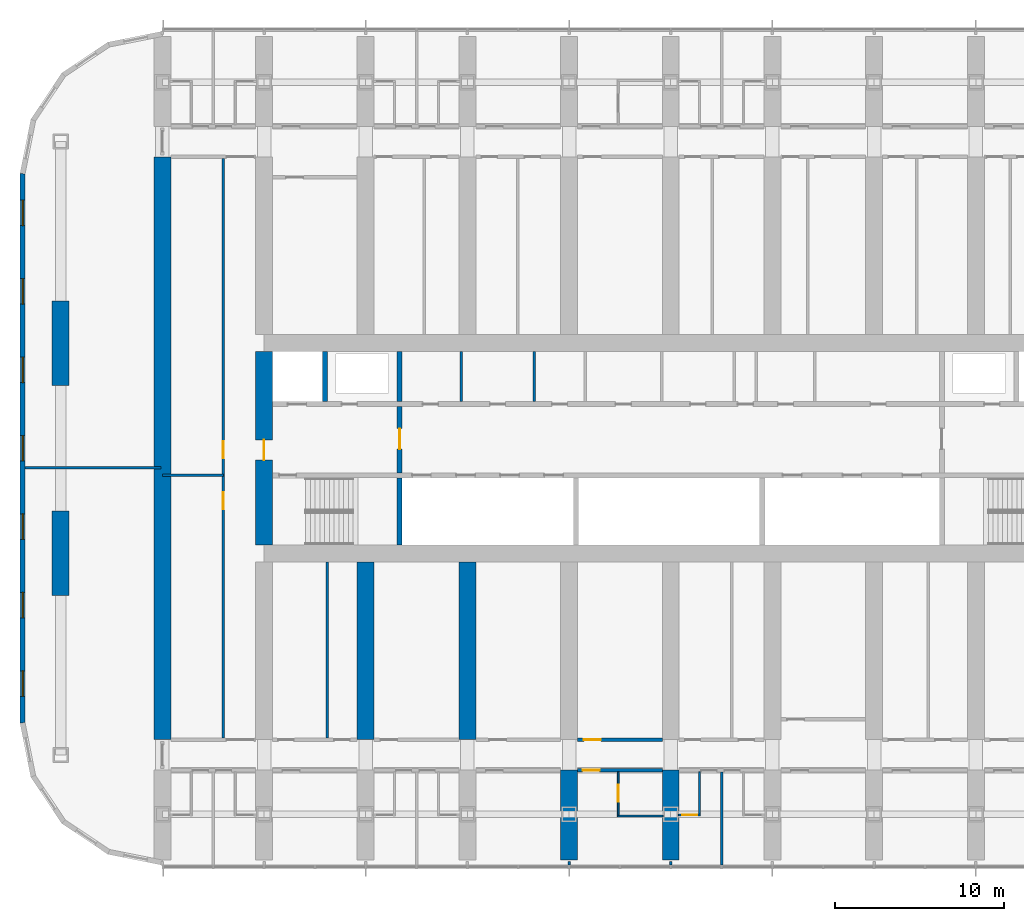
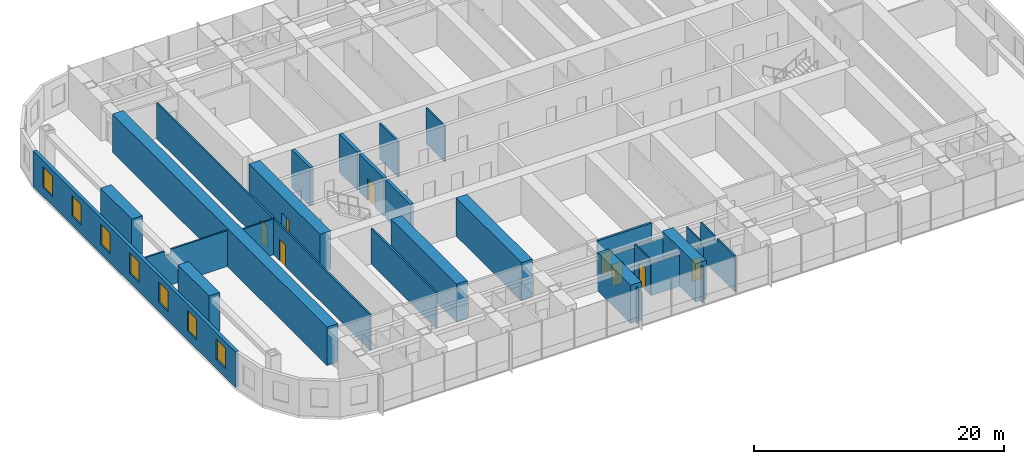
# One storey, part 11 of 23: 28 walls, 8 doors, 7 windows, 15 openings.
"""IFC4 building model written with IfcOpenShell, lengths in metres."""

from ifc_helpers import new_model, si_unit, direction, frame, frame_2d, origin, place, context, subcontext, project, spatial, polyline, rectangle, outline, extrude, material, layer, layer_set, type_object, element, fill, save


model = new_model("IFC4")

# Units and contexts
model_context = context("Model", 3, precision=1e-05, world=origin(), true_north=direction((0.0, 1.0)))
body_context = subcontext(model_context, "Body", "Model", "MODEL_VIEW")
ifc_project = project(units=[si_unit("LENGTHUNIT", "METRE"), si_unit("AREAUNIT", "SQUARE_METRE"), si_unit("VOLUMEUNIT", "CUBIC_METRE"), si_unit("PLANEANGLEUNIT", "RADIAN"), si_unit("MASSUNIT", "GRAM", prefix="KILO")], contexts=[model_context])

# Site, building, storey
site_placement = place(None, origin())
site = spatial("IfcSite", under=ifc_project, at=site_placement, CompositionType="ELEMENT")
building_placement = place(site_placement, origin())
building = spatial("IfcBuilding", under=site, at=building_placement, Name="Orbita Commons", CompositionType="ELEMENT")
storey_placement = place(building_placement, frame((0.0, 0.0, 61.449951171875)))
storey = spatial("IfcBuildingStorey", under=building, at=storey_placement, Name="L15", CompositionType="ELEMENT", Elevation=61.449951171875)

# Wall
ifc_material_1 = material(Name="Concrete C50/60", Category="concrete")
ifc_layer_1 = layer(ifc_material_1, 0.300048828125)
ifc_layer_set_1 = layer_set([ifc_layer_1], Name="Concrete C50/60")
wall_type_1 = type_object("IfcWallType", Name="Core inner wall 300 C50/60", PredefinedType="SHEAR", material=ifc_layer_set_1)
wall_1_placement = place(storey_placement, frame((26.0, 26.300048828125, 0.0), z_axis=(0.0, 0.0, 1.0), x_axis=(0.0, 1.0, 0.0)))
element("IfcWall", 1, at=wall_1_placement, inside=storey, type_object=wall_type_1, Name="Stair S1 wall L15", PredefinedType="SHEAR", context=body_context, shape_type="SweptSolid", body=[
    extrude(rectangle(XDim=3.949951171875, YDim=0.300048828125, at=frame_2d((1.97509765625, 0.0))), origin(), (0.0, 0.0, 1.0), 3.75),
])

# Wall, opening, door
wall_2_placement = place(storey_placement, frame((26.0, 30.550048828125, 0.0), z_axis=(0.0, 0.0, 1.0), x_axis=(0.0, 1.0, 0.0)))
wall_2 = element("IfcWall", 2, at=wall_2_placement, inside=storey, type_object=wall_type_1, Name="Firefighting lobby wall west L15", PredefinedType="SHEAR", context=body_context, shape_type="SweptSolid", body=[
    extrude(rectangle(XDim=3.89990234375, YDim=0.300048828125, at=frame_2d((1.949951171875, 0.0))), origin(), (0.0, 0.0, 1.0), 3.75),
])
opening_1_placement = place(wall_2_placement, frame((1.39990234375, 0.0, 0.0)))
opening_1 = element("IfcOpeningElement", 3, at=opening_1_placement, cuts=wall_2, Name="Opening D04", PredefinedType="OPENING", context=body_context, shape_type="SweptSolid", body=[
    extrude(rectangle(XDim=1.199951171875, YDim=2.10009765625, at=frame_2d((0.60009765625, 1.050048828125))), frame((0.0, 0.159912109375, 0.0), z_axis=(0.0, -1.0, 0.0), x_axis=(1.0, 0.0, 0.0)), (0.0, 0.0, 1.0), 0.320068359375),
])
ifc_material_2 = material(Name="Steel-faced fire door leaf", Category="steel")
door_type_1 = type_object("IfcDoorType", Name="Service door 20 min 1200x2100", OperationType="SINGLE_SWING_LEFT", PredefinedType="DOOR", material=ifc_material_2)
door_1_placement = place(opening_1_placement, origin())
door_1 = element("IfcDoor", 4, at=door_1_placement, inside=storey, type_object=door_type_1, Name="Lift lobby door west", OperationType="SINGLE_SWING_LEFT", OverallHeight=2.10009765625, OverallWidth=1.199951171875, PredefinedType="DOOR", context=body_context, shape_type="SweptSolid", body=[
    extrude(rectangle(XDim=1.199951171875, YDim=2.10009765625, at=frame_2d((0.60009765625, 1.050048828125))), frame((0.0, 0.02490234375, 0.0), z_axis=(0.0, -1.0, 0.0), x_axis=(1.0, 0.0, 0.0)), (0.0, 0.0, 1.0), 0.050048828125),
])
fill(opening_1, door_1)

# Walls
for number, where, z_axis, x_axis, name in (
    (5, (21.60009765625, 34.75, 0.0), (0.0, 0.0, 1.0), (0.0, 1.0, 0.0), "Firefighting lift FL1 shaft wall L15"),
    (6, (26.0, 34.75, 0.0), (0.0, 0.0, 1.0), (0.0, 1.0, 0.0), "Riser wall west L15"),
):
    element("IfcWall", number, at=place(storey_placement, frame(where, z_axis=z_axis, x_axis=x_axis)), inside=storey, type_object=wall_type_1, Name=name, PredefinedType="SHEAR", context=body_context, shape_type="SweptSolid", body=[
        extrude(rectangle(XDim=2.949951171875, YDim=0.300048828125, at=frame_2d((1.47509765625, 0.0))), origin(), (0.0, 0.0, 1.0), 3.75),
    ])
ifc_material_3 = material(Name="Concrete blockwork", Category="masonry")
ifc_layer_2 = layer(ifc_material_3, 0.14990234375)
ifc_layer_set_2 = layer_set([ifc_layer_2], Name="Concrete blockwork")
wall_type_2 = type_object("IfcWallType", Name="Core partition 150 blockwork", PredefinedType="SOLIDWALL", material=ifc_layer_set_2)
for number, where, z_axis, x_axis, name in (
    (7, (29.65087890625, 34.75, 0.0), (0.0, 0.0, 1.0), (0.0, 1.0, 0.0), "Core partition 150 blockwork L15"),
    (8, (33.9462890625, 34.75, 0.0), (0.0, 0.0, 1.0), (0.0, 1.0, 0.0), "Core partition 150 blockwork L15"),
):
    element("IfcWall", number, at=place(storey_placement, frame(where, z_axis=z_axis, x_axis=x_axis)), inside=storey, type_object=wall_type_2, Name=name, PredefinedType="SOLIDWALL", context=body_context, shape_type="SweptSolid", body=[
        extrude(rectangle(XDim=2.949951171875, YDim=0.14990234375, at=frame_2d((1.47509765625, 0.0))), origin(), (0.0, 0.0, 1.0), 3.5),
    ])

# Wall, opening, door
ifc_material_4 = material(Name="Concrete C50/60", Category="concrete")
ifc_layer_3 = layer(ifc_material_4, 1.0)
ifc_layer_set_3 = layer_set([ifc_layer_3], Name="Concrete C50/60")
wall_type_3 = type_object("IfcWallType", Name="Core wall 1000 C50/60", PredefinedType="SHEAR", material=ifc_layer_set_3)
wall_3_placement = place(storey_placement, frame((18.0, 26.300048828125, 0.0), z_axis=(0.0, 0.0, 1.0), x_axis=(0.0, 1.0, 0.0)))
wall_3 = element("IfcWall", 9, at=wall_3_placement, inside=storey, type_object=wall_type_3, Name="Core end wall west L15", PredefinedType="SHEAR", context=body_context, shape_type="SweptSolid", body=[
    extrude(rectangle(XDim=11.39990234375, YDim=1.0, at=frame_2d((5.699951171875, 0.0))), origin(), (0.0, 0.0, 1.0), 3.75),
])
opening_2_placement = place(wall_3_placement, frame((5.0, 0.0, 0.0)))
opening_2 = element("IfcOpeningElement", 10, at=opening_2_placement, cuts=wall_3, Name="Opening D01", PredefinedType="OPENING", context=body_context, shape_type="SweptSolid", body=[
    extrude(rectangle(XDim=1.199951171875, YDim=2.10009765625, at=frame_2d((0.60009765625, 1.050048828125))), frame((0.0, 0.510009765625, 0.0), z_axis=(0.0, -1.0, 0.0), x_axis=(1.0, 0.0, 0.0)), (0.0, 0.0, 1.0), 1.02001953125),
])
ifc_material_5 = material(Name="Steel-faced fire door leaf", Category="steel")
door_type_2 = type_object("IfcDoorType", Name="Fire door 90 min 1200x2100", OperationType="SINGLE_SWING_LEFT", PredefinedType="DOOR", material=ifc_material_5)
door_2_placement = place(opening_2_placement, origin())
door_2 = element("IfcDoor", 11, at=door_2_placement, inside=storey, type_object=door_type_2, Name="Firefighting lobby west door", OperationType="SINGLE_SWING_LEFT", OverallHeight=2.10009765625, OverallWidth=1.199951171875, PredefinedType="DOOR", context=body_context, shape_type="SweptSolid", body=[
    extrude(rectangle(XDim=1.199951171875, YDim=2.10009765625, at=frame_2d((0.60009765625, 1.050048828125))), frame((0.0, 0.02490234375, 0.0), z_axis=(0.0, -1.0, 0.0), x_axis=(1.0, 0.0, 0.0)), (0.0, 0.0, 1.0), 0.050048828125),
])
fill(opening_2, door_2)

ifc_material_6 = material(Name="Concrete blockwork", Category="masonry")
ifc_layer_4 = layer(ifc_material_6, 0.199951171875)
ifc_layer_set_4 = layer_set([ifc_layer_4], Name="Concrete blockwork")
wall_type_4 = type_object("IfcWallType", Name="Corridor wall 200 blockwork", PredefinedType="SOLIDWALL", material=ifc_layer_set_4)
wall_4_placement = place(storey_placement, frame((36.5, 13.0, 0.0), z_axis=(0.0, 0.0, 1.0), x_axis=(1.0, 0.0, 0.0)))
wall_4 = element("IfcWall", 12, at=wall_4_placement, inside=storey, type_object=wall_type_4, Name="Corridor wall 200 blockwork L15", PredefinedType="SOLIDWALL", context=body_context, shape_type="SweptSolid", body=[
    extrude(outline(polyline([(0.0, 0.0), (5.0, 0.0), (5.0, 3.10009765625), (0.0, 3.10009765625), (0.0, 0.0)])), frame((0.0, 0.10009765625, 0.0), z_axis=(0.0, -1.0, 0.0), x_axis=(1.0, 0.0, 0.0)), (0.0, 0.0, 1.0), 0.199951171875),
])
opening_3_placement = place(wall_4_placement, frame((0.300048828125, 0.0, 0.0)))
opening_3 = element("IfcOpeningElement", 13, at=opening_3_placement, cuts=wall_4, Name="Opening D06", PredefinedType="OPENING", context=body_context, shape_type="SweptSolid", body=[
    extrude(rectangle(XDim=1.0, YDim=2.10009765625, at=frame_2d((0.5, 1.050048828125))), frame((0.0, 0.10986328125, 0.0), z_axis=(0.0, -1.0, 0.0), x_axis=(1.0, 0.0, 0.0)), (0.0, 0.0, 1.0), 0.219970703125),
])
ifc_material_7 = material(Name="Steel-faced fire door leaf", Category="steel")
door_type_3 = type_object("IfcDoorType", Name="Corridor door 20 min 1000x2100", OperationType="SINGLE_SWING_LEFT", PredefinedType="DOOR", material=ifc_material_7)
door_3_placement = place(opening_3_placement, origin())
door_3 = element("IfcDoor", 14, at=door_3_placement, inside=storey, type_object=door_type_3, Name="Accessible bedroom L15-S08 door", OperationType="SINGLE_SWING_LEFT", OverallHeight=2.10009765625, OverallWidth=1.0, PredefinedType="DOOR", context=body_context, shape_type="SweptSolid", body=[
    extrude(rectangle(XDim=1.0, YDim=2.10009765625, at=frame_2d((0.5, 1.050048828125))), frame((0.0, 0.02490234375, 0.0), z_axis=(0.0, -1.0, 0.0), x_axis=(1.0, 0.0, 0.0)), (0.0, 0.0, 1.0), 0.050048828125),
])
fill(opening_3, door_3)

ifc_material_8 = material(Name="Hollow concrete block 200", Category="concrete")
ifc_layer_5 = layer(ifc_material_8, 0.199951171875)
ifc_layer_set_5 = layer_set([ifc_layer_5], Name="Hollow concrete block 200")
wall_type_5 = type_object("IfcWallType", Name="Corridor wall 200 hollow concrete block", PredefinedType="SOLIDWALL", material=ifc_layer_set_5)
wall_5_placement = place(storey_placement, frame((36.5, 14.800048828125, 0.0), z_axis=(0.0, 0.0, 1.0), x_axis=(1.0, 0.0, 0.0)))
wall_5 = element("IfcWall", 15, at=wall_5_placement, inside=storey, type_object=wall_type_5, Name="Corridor wall 200 hollow concrete block L15", PredefinedType="SOLIDWALL", context=body_context, shape_type="SweptSolid", body=[
    extrude(rectangle(XDim=5.0, YDim=0.199951171875, at=frame_2d((2.5, 0.0))), origin(), (0.0, 0.0, 1.0), 3.5),
])
opening_4_placement = place(wall_5_placement, frame((0.375, 0.0, 0.0)))
opening_4 = element("IfcOpeningElement", 16, at=opening_4_placement, cuts=wall_5, Name="Opening D06", PredefinedType="OPENING", context=body_context, shape_type="SweptSolid", body=[
    extrude(rectangle(XDim=1.0, YDim=2.10009765625, at=frame_2d((0.5, 1.050048828125))), frame((0.0, 0.10986328125, 0.0), z_axis=(0.0, -1.0, 0.0), x_axis=(1.0, 0.0, 0.0)), (0.0, 0.0, 1.0), 0.219970703125),
])
door_4_placement = place(opening_4_placement, origin())
door_4 = element("IfcDoor", 17, at=door_4_placement, inside=storey, type_object=door_type_3, Name="Parcel and post room L15-BDS36 door", OperationType="SINGLE_SWING_LEFT", OverallHeight=2.10009765625, OverallWidth=1.0, PredefinedType="DOOR", context=body_context, shape_type="SweptSolid", body=[
    extrude(rectangle(XDim=1.0, YDim=2.10009765625, at=frame_2d((0.5, 1.050048828125))), frame((0.0, 0.02490234375, 0.0), z_axis=(0.0, -1.0, 0.0), x_axis=(1.0, 0.0, 0.0)), (0.0, 0.0, 1.0), 0.050048828125),
])
fill(opening_4, door_4)

# Walls
ifc_material_9 = material(Name="Concrete C50/60", Category="concrete")
ifc_layer_6 = layer(ifc_material_9, 1.0)
ifc_layer_set_6 = layer_set([ifc_layer_6], Name="Concrete C50/60")
wall_type_6 = type_object("IfcWallType", Name="Cross wall 1000 C50/60", PredefinedType="SHEAR", material=ifc_layer_set_6)
wall_6_placement = place(storey_placement, frame((12.0, 14.800048828125, 0.0), z_axis=(0.0, 0.0, 1.0), x_axis=(0.0, 1.0, 0.0)))
element("IfcWall", 18, at=wall_6_placement, inside=storey, type_object=wall_type_6, Name="Cross wall 3 inner L15", PredefinedType="SHEAR", context=body_context, shape_type="SweptSolid", body=[
    extrude(rectangle(XDim=34.39990234375, YDim=1.0, at=frame_2d((17.199951171875, 0.0))), origin(), (0.0, 0.0, 1.0), 3.75),
])
for number, where, z_axis, x_axis, name in (
    (19, (24.0, 14.800048828125, 0.0), (0.0, 0.0, 1.0), (0.0, 1.0, 0.0), "Cross wall 5 south inner L15"),
    (20, (30.0, 14.800048828125, 0.0), (0.0, 0.0, 1.0), (0.0, 1.0, 0.0), "Cross wall 6 south inner L15"),
):
    element("IfcWall", number, at=place(storey_placement, frame(where, z_axis=z_axis, x_axis=x_axis)), inside=storey, type_object=wall_type_6, Name=name, PredefinedType="SHEAR", context=body_context, shape_type="SweptSolid", body=[
        extrude(rectangle(XDim=10.5, YDim=1.0, at=frame_2d((5.25, 0.0))), origin(), (0.0, 0.0, 1.0), 3.75),
    ])
for number, where, z_axis, x_axis, name in (
    (21, (36.0, 7.699951171875, 0.0), (0.0, 0.0, 1.0), (0.0, 1.0, 0.0), "Cross wall 7 south outer L15"),
    (22, (42.0, 7.699951171875, 0.0), (0.0, 0.0, 1.0), (0.0, 1.0, 0.0), "Cross wall 8 south outer L15"),
):
    element("IfcWall", number, at=place(storey_placement, frame(where, z_axis=z_axis, x_axis=x_axis)), inside=storey, type_object=wall_type_6, Name=name, PredefinedType="SHEAR", context=body_context, shape_type="SweptSolid", body=[
        extrude(rectangle(XDim=5.300048828125, YDim=1.0, at=frame_2d((2.64990234375, 0.0))), origin(), (0.0, 0.0, 1.0), 3.75),
    ])
ifc_material_10 = material(Name="Moisture-resistant plasterboard on steel studs", Category="steel")
ifc_layer_7 = layer(ifc_material_10, 0.10009765625)
ifc_layer_set_7 = layer_set([ifc_layer_7], Name="Moisture-resistant plasterboard on steel studs")
wall_type_7 = type_object("IfcWallType", Name="En-suite partition 100", PredefinedType="PARTITIONING", material=ifc_layer_set_7)
wall_7_placement = place(storey_placement, frame((38.85009765625, 10.300048828125, 0.0), z_axis=(0.0, 0.0, 1.0), x_axis=(1.0, 0.0, 0.0)))
element("IfcWall", 23, at=wall_7_placement, inside=storey, type_object=wall_type_7, Name="En-suite partition 100 L15", PredefinedType="PARTITIONING", context=body_context, shape_type="SweptSolid", body=[
    extrude(outline(polyline([(0.0, 0.0), (2.699951171875, 0.0), (2.699951171875, 3.10009765625), (0.0, 3.10009765625), (0.0, 0.0)])), frame((0.0, 0.050048828125, 0.0), z_axis=(0.0, -1.0, 0.0), x_axis=(1.0, 0.0, 0.0)), (0.0, 0.0, 1.0), 0.10009765625),
])

# Wall, opening, door
wall_8_placement = place(storey_placement, frame((38.89990234375, 10.35009765625, 0.0), z_axis=(0.0, 0.0, 1.0), x_axis=(0.0, 1.0, 0.0)))
wall_8 = element("IfcWall", 24, at=wall_8_placement, inside=storey, type_object=wall_type_7, Name="En-suite partition 100 L15", PredefinedType="PARTITIONING", context=body_context, shape_type="SweptSolid", body=[
    extrude(outline(polyline([(0.0, 0.0), (2.5498046875, 0.0), (2.550048828125, 3.10009765625), (2.501953125, 3.10009765625), (2.5, 3.5), (0.251953125, 3.5), (0.25, 3.10009765625), (0.0, 3.10009765625), (0.0, 0.0)])), frame((0.0, 0.050048828125, 0.0), z_axis=(0.0, -1.0, 0.0), x_axis=(1.0, 0.0, 0.0)), (0.0, 0.0, 1.0), 0.10009765625),
])
opening_5_placement = place(wall_8_placement, frame((0.800048828125, 0.0, 0.0)))
opening_5 = element("IfcOpeningElement", 25, at=opening_5_placement, cuts=wall_8, Name="Opening D13", PredefinedType="OPENING", context=body_context, shape_type="SweptSolid", body=[
    extrude(rectangle(XDim=1.0, YDim=2.10009765625, at=frame_2d((0.5, 1.050048828125))), frame((0.0, 0.06005859375, 0.0), z_axis=(0.0, -1.0, 0.0), x_axis=(1.0, 0.0, 0.0)), (0.0, 0.0, 1.0), 0.1201171875),
])
ifc_material_11 = material(Name="Laminated timber door leaf", Category="wood")
door_type_4 = type_object("IfcDoorType", Name="En-suite door 1000x2100", OperationType="SINGLE_SWING_RIGHT", PredefinedType="DOOR", material=ifc_material_11)
door_5_placement = place(opening_5_placement, origin())
door_5 = element("IfcDoor", 26, at=door_5_placement, inside=storey, type_object=door_type_4, Name="Accessible shower room L15-S08 door", OperationType="SINGLE_SWING_RIGHT", OverallHeight=2.10009765625, OverallWidth=1.0, PredefinedType="DOOR", context=body_context, shape_type="SweptSolid", body=[
    extrude(rectangle(XDim=1.0, YDim=2.10009765625, at=frame_2d((0.5, 1.050048828125))), frame((0.0, 0.02490234375, 0.0), z_axis=(0.0, -1.0, 0.0), x_axis=(1.0, 0.0, 0.0)), (0.0, 0.0, 1.0), 0.050048828125),
])
fill(opening_5, door_5)

wall_9_placement = place(storey_placement, frame((43.75, 10.3583984375, 0.0), z_axis=(0.0, 0.0, 1.0), x_axis=(-1.0, 0.0, 0.0)))
wall_9 = element("IfcWall", 27, at=wall_9_placement, inside=storey, type_object=wall_type_7, Name="En-suite partition 100 L15", PredefinedType="PARTITIONING", context=body_context, shape_type="SweptSolid", body=[
    extrude(outline(polyline([(0.0, 0.0), (1.300048828125, 0.0), (1.300048828125, 3.10009765625), (0.0, 3.10009765625), (0.0, 0.0)])), frame((0.0, 0.050048828125, 0.0), z_axis=(0.0, -1.0, 0.0), x_axis=(1.0, 0.0, 0.0)), (0.0, 0.0, 1.0), 0.10009765625),
])
opening_6_placement = place(wall_9_placement, frame((0.175048828125, 0.0, 0.0)))
opening_6 = element("IfcOpeningElement", 28, at=opening_6_placement, cuts=wall_9, Name="Opening D09", PredefinedType="OPENING", context=body_context, shape_type="SweptSolid", body=[
    extrude(rectangle(XDim=0.89990234375, YDim=2.10009765625, at=frame_2d((0.449951171875, 1.050048828125))), frame((0.0, 0.06005859375, 0.0), z_axis=(0.0, -1.0, 0.0), x_axis=(1.0, 0.0, 0.0)), (0.0, 0.0, 1.0), 0.1201171875),
])
ifc_material_12 = material(Name="Laminated timber door leaf", Category="wood")
door_type_5 = type_object("IfcDoorType", Name="En-suite door 900x2100", OperationType="SINGLE_SWING_RIGHT", PredefinedType="DOOR", material=ifc_material_12)
door_6_placement = place(opening_6_placement, origin())
door_6 = element("IfcDoor", 29, at=door_6_placement, inside=storey, type_object=door_type_5, Name="En-suite L15-S10 door", OperationType="SINGLE_SWING_RIGHT", OverallHeight=2.10009765625, OverallWidth=0.89990234375, PredefinedType="DOOR", context=body_context, shape_type="SweptSolid", body=[
    extrude(rectangle(XDim=0.89990234375, YDim=2.10009765625, at=frame_2d((0.449951171875, 1.050048828125))), frame((0.0, 0.02490234375, 0.0), z_axis=(0.0, -1.0, 0.0), x_axis=(1.0, 0.0, 0.0)), (0.0, 0.0, 1.0), 0.050048828125),
])
fill(opening_6, door_6)

# Walls
wall_10_placement = place(storey_placement, frame((43.699951171875, 10.408203125, 0.0), z_axis=(0.0, 0.0, 1.0), x_axis=(0.0, 1.0, 0.0)))
element("IfcWall", 30, at=wall_10_placement, inside=storey, type_object=wall_type_7, Name="En-suite partition 100 L15", PredefinedType="PARTITIONING", context=body_context, shape_type="SweptSolid", body=[
    extrude(outline(polyline([(0.0, 0.0), (2.49169921875, 0.0), (2.49169921875, 3.10009765625), (2.443603515625, 3.10009765625), (2.441650390625, 3.5), (0.193603515625, 3.5), (0.191650390625, 3.10009765625), (0.0, 3.10009765625), (0.0, 0.0)])), frame((0.0, 0.050048828125, 0.0), z_axis=(0.0, -1.0, 0.0), x_axis=(1.0, 0.0, 0.0)), (0.0, 0.0, 1.0), 0.10009765625),
])
ifc_material_13 = material(Name="Concrete C50/60", Category="concrete")
ifc_layer_8 = layer(ifc_material_13, 1.0)
ifc_layer_set_8 = layer_set([ifc_layer_8], Name="Concrete C50/60")
wall_type_8 = type_object("IfcWallType", Name="End pier 1000x5000 C50/60", PredefinedType="SHEAR", material=ifc_layer_set_8)
for number, where, z_axis, x_axis, name in (
    (31, (6.0, 23.300048828125, 0.0), (0.0, 0.0, 1.0), (0.0, 1.0, 0.0), "End pier 2/C L15"),
    (32, (6.0, 35.699951171875, 0.0), (0.0, 0.0, 1.0), (0.0, 1.0, 0.0), "End pier 2/D L15"),
):
    element("IfcWall", number, at=place(storey_placement, frame(where, z_axis=z_axis, x_axis=x_axis)), inside=storey, type_object=wall_type_8, Name=name, PredefinedType="SHEAR", context=body_context, shape_type="SweptSolid", body=[
        extrude(rectangle(XDim=5.0, YDim=1.0, at=frame_2d((2.5, 0.0))), origin(), (0.0, 0.0, 1.0), 3.75),
    ])
ifc_material_14 = material(Name="Gypsum plasterboard on steel studs", Category="steel")
ifc_layer_9 = layer(ifc_material_14, 0.14990234375)
ifc_layer_set_9 = layer_set([ifc_layer_9], Name="Gypsum plasterboard on steel studs")
wall_type_9 = type_object("IfcWallType", Name="Partition 150 plasterboard", PredefinedType="PARTITIONING", material=ifc_layer_set_9)
wall_11_placement = place(storey_placement, frame((21.72509765625, 14.89990234375, 0.0), z_axis=(0.0, 0.0, 1.0), x_axis=(0.0, 1.0, 0.0)))
element("IfcWall", 33, at=wall_11_placement, inside=storey, type_object=wall_type_9, Name="Partition 150 plasterboard L15", PredefinedType="PARTITIONING", context=body_context, shape_type="SweptSolid", body=[
    extrude(rectangle(XDim=10.400146484375, YDim=0.14990234375, at=frame_2d((5.2001953125, 0.0))), origin(), (0.0, 0.0, 1.0), 3.5),
])

# Wall, openings, doors
wall_12_placement = place(storey_placement, frame((15.60009765625, 14.89990234375, 0.0), z_axis=(0.0, 0.0, 1.0), x_axis=(0.0, 1.0, 0.0)))
wall_12 = element("IfcWall", 34, at=wall_12_placement, inside=storey, type_object=wall_type_9, Name="Partition 150 plasterboard L15", PredefinedType="PARTITIONING", context=body_context, shape_type="SweptSolid", body=[
    extrude(rectangle(XDim=34.2001953125, YDim=0.14990234375, at=frame_2d((17.10009765625, 0.0))), origin(), (0.0, 0.0, 1.0), 3.5),
])
opening_7_placement = place(wall_12_placement, frame((13.5, 0.0, 0.0)))
opening_7 = element("IfcOpeningElement", 35, at=opening_7_placement, cuts=wall_12, Name="Opening D06", PredefinedType="OPENING", context=body_context, shape_type="SweptSolid", body=[
    extrude(rectangle(XDim=1.0, YDim=2.10009765625, at=frame_2d((0.5, 1.050048828125))), frame((0.0, 0.0849609375, 0.0), z_axis=(0.0, -1.0, 0.0), x_axis=(1.0, 0.0, 0.0)), (0.0, 0.0, 1.0), 0.169921875),
])
opening_8_placement = place(wall_12_placement, frame((16.5, 0.0, 0.0)))
opening_8 = element("IfcOpeningElement", 36, at=opening_8_placement, cuts=wall_12, Name="Opening D06", PredefinedType="OPENING", context=body_context, shape_type="SweptSolid", body=[
    extrude(rectangle(XDim=1.0, YDim=2.10009765625, at=frame_2d((0.5, 1.050048828125))), frame((0.0, 0.0849609375, 0.0), z_axis=(0.0, -1.0, 0.0), x_axis=(1.0, 0.0, 0.0)), (0.0, 0.0, 1.0), 0.169921875),
])
door_7_placement = place(opening_7_placement, origin())
door_7 = element("IfcDoor", 37, at=door_7_placement, inside=storey, type_object=door_type_3, Name="Interview room door", OperationType="SINGLE_SWING_LEFT", OverallHeight=2.10009765625, OverallWidth=1.0, PredefinedType="DOOR", context=body_context, shape_type="SweptSolid", body=[
    extrude(rectangle(XDim=1.0, YDim=2.10009765625, at=frame_2d((0.5, 1.050048828125))), frame((0.0, 0.02490234375, 0.0), z_axis=(0.0, -1.0, 0.0), x_axis=(1.0, 0.0, 0.0)), (0.0, 0.0, 1.0), 0.050048828125),
])
fill(opening_7, door_7)
door_8_placement = place(opening_8_placement, origin())
door_8 = element("IfcDoor", 38, at=door_8_placement, inside=storey, type_object=door_type_3, Name="Residents' storage room door", OperationType="SINGLE_SWING_LEFT", OverallHeight=2.10009765625, OverallWidth=1.0, PredefinedType="DOOR", context=body_context, shape_type="SweptSolid", body=[
    extrude(rectangle(XDim=1.0, YDim=2.10009765625, at=frame_2d((0.5, 1.050048828125))), frame((0.0, 0.02490234375, 0.0), z_axis=(0.0, -1.0, 0.0), x_axis=(1.0, 0.0, 0.0)), (0.0, 0.0, 1.0), 0.050048828125),
])
fill(opening_8, door_8)

# Walls
wall_13_placement = place(storey_placement, frame((12.0, 30.39990234375, 0.0), z_axis=(0.0, 0.0, 1.0), x_axis=(1.0, 0.0, 0.0)))
element("IfcWall", 39, at=wall_13_placement, inside=storey, type_object=wall_type_9, Name="Partition 150 plasterboard L15", PredefinedType="PARTITIONING", context=body_context, shape_type="SweptSolid", body=[
    extrude(rectangle(XDim=3.60009765625, YDim=0.14990234375, at=frame_2d((1.800048828125, 0.0))), origin(), (0.0, 0.0, 1.0), 3.5),
])
wall_14_placement = place(storey_placement, frame((3.905029296875, 30.85009765625, 0.0), z_axis=(0.0, 0.0, 1.0), x_axis=(1.0, 0.0, 0.0)))
element("IfcWall", 40, at=wall_14_placement, inside=storey, type_object=wall_type_9, Name="Partition 150 plasterboard L15", PredefinedType="PARTITIONING", context=body_context, shape_type="SweptSolid", body=[
    extrude(outline(polyline([(0.0, 0.0), (8.02001953125, 0.0), (8.02001953125, 3.5), (2.39697265625, 3.5), (2.39501953125, 3.050048828125), (1.797119140625, 3.050048828125), (1.794921875, 3.5), (0.0, 3.5), (0.0, 0.0)])), frame((0.0, 0.074951171875, 0.0), z_axis=(0.0, -1.0, 0.0), x_axis=(1.0, 0.0, 0.0)), (0.0, 0.0, 1.0), 0.14990234375),
])
for number, where, z_axis, x_axis, name in (
    (41, (36.0, 7.60009765625, 0.0), (0.0, 0.0, 1.0), (0.0, -1.0, 0.0), "Partition 150 plasterboard L15"),
    (42, (42.0, 7.60009765625, 0.0), (0.0, 0.0, 1.0), (0.0, -1.0, 0.0), "Partition 150 plasterboard L15"),
):
    element("IfcWall", number, at=place(storey_placement, frame(where, z_axis=z_axis, x_axis=x_axis)), inside=storey, type_object=wall_type_9, Name=name, PredefinedType="PARTITIONING", context=body_context, shape_type="SweptSolid", body=[
        extrude(rectangle(XDim=0.190185546875, YDim=0.14990234375, at=frame_2d((0.09521484375, 0.0))), origin(), (0.0, 0.0, 1.0), 3.5),
    ])
ifc_material_15 = material(Name="Gypsum plasterboard on steel studs", Category="steel")
ifc_layer_10 = layer(ifc_material_15, 0.14990234375)
ifc_layer_set_10 = layer_set([ifc_layer_10], Name="Gypsum plasterboard on steel studs")
wall_type_10 = type_object("IfcWallType", Name="Party wall 150 plasterboard", PredefinedType="PARTITIONING", material=ifc_layer_set_10)
wall_15_placement = place(storey_placement, frame((45.0, 7.409912109375, 0.0), z_axis=(0.0, 0.0, 1.0), x_axis=(0.0, 1.0, 0.0)))
element("IfcWall", 43, at=wall_15_placement, inside=storey, type_object=wall_type_10, Name="Party wall 150 plasterboard L15", PredefinedType="PARTITIONING", context=body_context, shape_type="SweptSolid", body=[
    extrude(outline(polyline([(0.0, 0.0), (5.489990234375, 0.0), (5.489990234375, 3.10009765625), (5.44189453125, 3.10009765625), (5.43994140625, 3.5), (3.19189453125, 3.5), (3.18994140625, 3.10009765625), (2.7919921875, 3.10009765625), (2.7900390625, 3.5), (0.0, 3.5), (0.0, 0.0)])), frame((0.0, 0.074951171875, 0.0), z_axis=(0.0, -1.0, 0.0), x_axis=(1.0, 0.0, 0.0)), (0.0, 0.0, 1.0), 0.14990234375),
])

# Wall, openings, windows
ifc_material_16 = material(Name="Precast concrete C40/50, white board-marked finish", Category="concrete")
ifc_layer_11 = layer(ifc_material_16, 0.300048828125)
ifc_layer_set_11 = layer_set([ifc_layer_11], Name="Precast concrete C40/50, white board-marked finish")
wall_type_11 = type_object("IfcWallType", Name="Precast concrete end shield 300", PredefinedType="SOLIDWALL", material=ifc_layer_set_11)
wall_16_placement = place(storey_placement, frame((3.75, 48.199951171875, 0.0), z_axis=(0.0, 0.0, 1.0), x_axis=(0.0, -1.0, 0.0)))
wall_16 = element("IfcWall", 44, at=wall_16_placement, inside=storey, type_object=wall_type_11, Name="End shield W L15", PredefinedType="SOLIDWALL", context=body_context, shape_type="SweptSolid", body=[
    extrude(outline(polyline([(-0.014892578125, -0.14990234375), (32.414794921875, -0.14990234375), (32.385009765625, 0.14990234375), (0.014892578125, 0.14990234375), (-0.014892578125, -0.14990234375)])), origin(), (0.0, 0.0, 1.0), 3.5),
])
opening_9_placement = place(wall_16_placement, frame((1.564208984375, 0.0, 0.89990234375)))
opening_9 = element("IfcOpeningElement", 45, at=opening_9_placement, cuts=wall_16, Name="Opening W01", PredefinedType="OPENING", context=body_context, shape_type="SweptSolid", body=[
    extrude(rectangle(XDim=1.5, YDim=2.0, at=frame_2d((0.75, 1.0))), frame((0.0, 0.159912109375, 0.0), z_axis=(0.0, -1.0, 0.0), x_axis=(1.0, 0.0, 0.0)), (0.0, 0.0, 1.0), 0.320068359375),
])
opening_10_placement = place(wall_16_placement, frame((6.19287109375, 0.0, 0.89990234375)))
opening_10 = element("IfcOpeningElement", 46, at=opening_10_placement, cuts=wall_16, Name="Opening W01", PredefinedType="OPENING", context=body_context, shape_type="SweptSolid", body=[
    extrude(rectangle(XDim=1.5, YDim=2.0, at=frame_2d((0.75, 1.0))), frame((0.0, 0.159912109375, 0.0), z_axis=(0.0, -1.0, 0.0), x_axis=(1.0, 0.0, 0.0)), (0.0, 0.0, 1.0), 0.320068359375),
])
opening_11_placement = place(wall_16_placement, frame((10.821533203125, 0.0, 0.89990234375)))
opening_11 = element("IfcOpeningElement", 47, at=opening_11_placement, cuts=wall_16, Name="Opening W01", PredefinedType="OPENING", context=body_context, shape_type="SweptSolid", body=[
    extrude(rectangle(XDim=1.5, YDim=2.0, at=frame_2d((0.75, 1.0))), frame((0.0, 0.159912109375, 0.0), z_axis=(0.0, -1.0, 0.0), x_axis=(1.0, 0.0, 0.0)), (0.0, 0.0, 1.0), 0.320068359375),
])
opening_12_placement = place(wall_16_placement, frame((15.449951171875, 0.0, 0.89990234375)))
opening_12 = element("IfcOpeningElement", 48, at=opening_12_placement, cuts=wall_16, Name="Opening W01", PredefinedType="OPENING", context=body_context, shape_type="SweptSolid", body=[
    extrude(rectangle(XDim=1.5, YDim=2.0, at=frame_2d((0.75, 1.0))), frame((0.0, 0.159912109375, 0.0), z_axis=(0.0, -1.0, 0.0), x_axis=(1.0, 0.0, 0.0)), (0.0, 0.0, 1.0), 0.320068359375),
])
opening_13_placement = place(wall_16_placement, frame((20.07861328125, 0.0, 0.89990234375)))
opening_13 = element("IfcOpeningElement", 49, at=opening_13_placement, cuts=wall_16, Name="Opening W01", PredefinedType="OPENING", context=body_context, shape_type="SweptSolid", body=[
    extrude(rectangle(XDim=1.5, YDim=2.0, at=frame_2d((0.75, 1.0))), frame((0.0, 0.159912109375, 0.0), z_axis=(0.0, -1.0, 0.0), x_axis=(1.0, 0.0, 0.0)), (0.0, 0.0, 1.0), 0.320068359375),
])
opening_14_placement = place(wall_16_placement, frame((24.70703125, 0.0, 0.89990234375)))
opening_14 = element("IfcOpeningElement", 50, at=opening_14_placement, cuts=wall_16, Name="Opening W01", PredefinedType="OPENING", context=body_context, shape_type="SweptSolid", body=[
    extrude(rectangle(XDim=1.5, YDim=2.0, at=frame_2d((0.75, 1.0))), frame((0.0, 0.159912109375, 0.0), z_axis=(0.0, -1.0, 0.0), x_axis=(1.0, 0.0, 0.0)), (0.0, 0.0, 1.0), 0.320068359375),
])
opening_15_placement = place(wall_16_placement, frame((29.335693359375, 0.0, 0.89990234375)))
opening_15 = element("IfcOpeningElement", 51, at=opening_15_placement, cuts=wall_16, Name="Opening W01", PredefinedType="OPENING", context=body_context, shape_type="SweptSolid", body=[
    extrude(rectangle(XDim=1.5, YDim=2.0, at=frame_2d((0.75, 1.0))), frame((0.0, 0.159912109375, 0.0), z_axis=(0.0, -1.0, 0.0), x_axis=(1.0, 0.0, 0.0)), (0.0, 0.0, 1.0), 0.320068359375),
])
ifc_material_17 = material(Name="Aluminium frame, clear double glazing", Category="aluminium")
window_type = type_object("IfcWindowType", Name="Deep-set window 1500x2000", PartitioningType="SINGLE_PANEL", PredefinedType="WINDOW", material=ifc_material_17)
window_1_placement = place(opening_9_placement, origin())
window_1 = element("IfcWindow", 52, at=window_1_placement, inside=storey, type_object=window_type, Name="Window L15-W 1", OverallHeight=2.0, OverallWidth=1.5, PartitioningType="SINGLE_PANEL", PredefinedType="WINDOW", context=body_context, shape_type="SweptSolid", body=[
    extrude(rectangle(XDim=1.5, YDim=2.0, at=frame_2d((0.75, 1.0))), frame((0.0, 0.030029296875, 0.0), z_axis=(0.0, -1.0, 0.0), x_axis=(1.0, 0.0, 0.0)), (0.0, 0.0, 1.0), 0.06005859375),
])
fill(opening_9, window_1)
window_2_placement = place(opening_10_placement, origin())
window_2 = element("IfcWindow", 53, at=window_2_placement, inside=storey, type_object=window_type, Name="Window L15-W 2", OverallHeight=2.0, OverallWidth=1.5, PartitioningType="SINGLE_PANEL", PredefinedType="WINDOW", context=body_context, shape_type="SweptSolid", body=[
    extrude(rectangle(XDim=1.5, YDim=2.0, at=frame_2d((0.75, 1.0))), frame((0.0, 0.030029296875, 0.0), z_axis=(0.0, -1.0, 0.0), x_axis=(1.0, 0.0, 0.0)), (0.0, 0.0, 1.0), 0.06005859375),
])
fill(opening_10, window_2)
window_3_placement = place(opening_11_placement, origin())
window_3 = element("IfcWindow", 54, at=window_3_placement, inside=storey, type_object=window_type, Name="Window L15-W 3", OverallHeight=2.0, OverallWidth=1.5, PartitioningType="SINGLE_PANEL", PredefinedType="WINDOW", context=body_context, shape_type="SweptSolid", body=[
    extrude(rectangle(XDim=1.5, YDim=2.0, at=frame_2d((0.75, 1.0))), frame((0.0, 0.030029296875, 0.0), z_axis=(0.0, -1.0, 0.0), x_axis=(1.0, 0.0, 0.0)), (0.0, 0.0, 1.0), 0.06005859375),
])
fill(opening_11, window_3)
window_4_placement = place(opening_12_placement, origin())
window_4 = element("IfcWindow", 55, at=window_4_placement, inside=storey, type_object=window_type, Name="Window L15-W 4", OverallHeight=2.0, OverallWidth=1.5, PartitioningType="SINGLE_PANEL", PredefinedType="WINDOW", context=body_context, shape_type="SweptSolid", body=[
    extrude(rectangle(XDim=1.5, YDim=2.0, at=frame_2d((0.75, 1.0))), frame((0.0, 0.030029296875, 0.0), z_axis=(0.0, -1.0, 0.0), x_axis=(1.0, 0.0, 0.0)), (0.0, 0.0, 1.0), 0.06005859375),
])
fill(opening_12, window_4)
window_5_placement = place(opening_13_placement, origin())
window_5 = element("IfcWindow", 56, at=window_5_placement, inside=storey, type_object=window_type, Name="Window L15-W 5", OverallHeight=2.0, OverallWidth=1.5, PartitioningType="SINGLE_PANEL", PredefinedType="WINDOW", context=body_context, shape_type="SweptSolid", body=[
    extrude(rectangle(XDim=1.5, YDim=2.0, at=frame_2d((0.75, 1.0))), frame((0.0, 0.030029296875, 0.0), z_axis=(0.0, -1.0, 0.0), x_axis=(1.0, 0.0, 0.0)), (0.0, 0.0, 1.0), 0.06005859375),
])
fill(opening_13, window_5)
window_6_placement = place(opening_14_placement, origin())
window_6 = element("IfcWindow", 57, at=window_6_placement, inside=storey, type_object=window_type, Name="Window L15-W 6", OverallHeight=2.0, OverallWidth=1.5, PartitioningType="SINGLE_PANEL", PredefinedType="WINDOW", context=body_context, shape_type="SweptSolid", body=[
    extrude(rectangle(XDim=1.5, YDim=2.0, at=frame_2d((0.75, 1.0))), frame((0.0, 0.030029296875, 0.0), z_axis=(0.0, -1.0, 0.0), x_axis=(1.0, 0.0, 0.0)), (0.0, 0.0, 1.0), 0.06005859375),
])
fill(opening_14, window_6)
window_7_placement = place(opening_15_placement, origin())
window_7 = element("IfcWindow", 58, at=window_7_placement, inside=storey, type_object=window_type, Name="Window L15-W 7", OverallHeight=2.0, OverallWidth=1.5, PartitioningType="SINGLE_PANEL", PredefinedType="WINDOW", context=body_context, shape_type="SweptSolid", body=[
    extrude(rectangle(XDim=1.5, YDim=2.0, at=frame_2d((0.75, 1.0))), frame((0.0, 0.030029296875, 0.0), z_axis=(0.0, -1.0, 0.0), x_axis=(1.0, 0.0, 0.0)), (0.0, 0.0, 1.0), 0.06005859375),
])
fill(opening_15, window_7)

save(model, "model.ifc")
